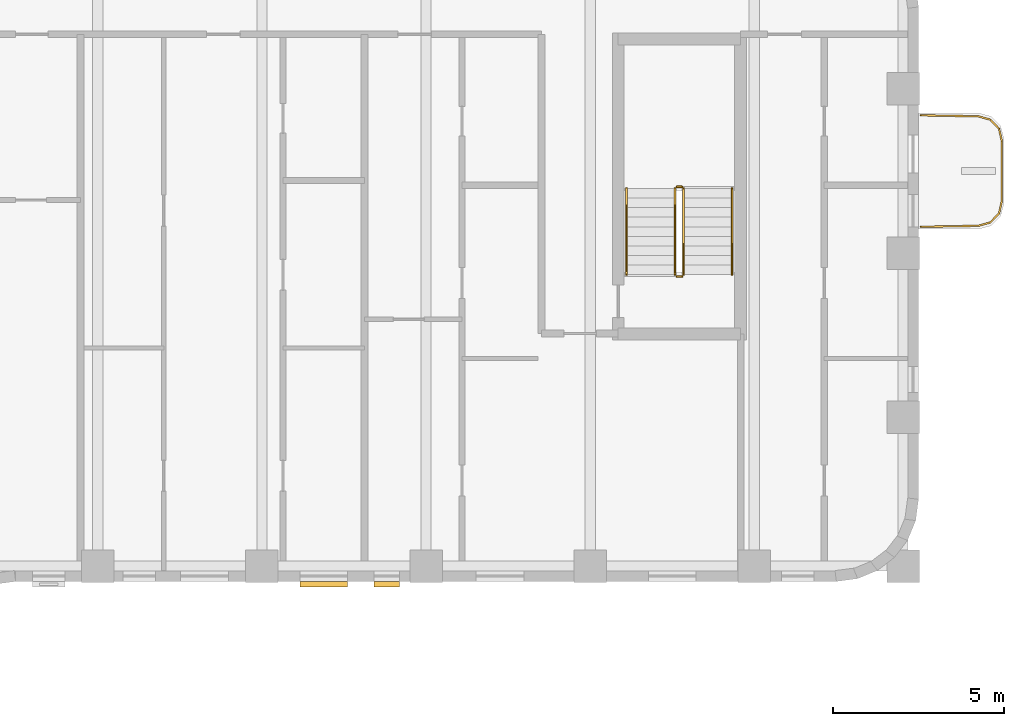
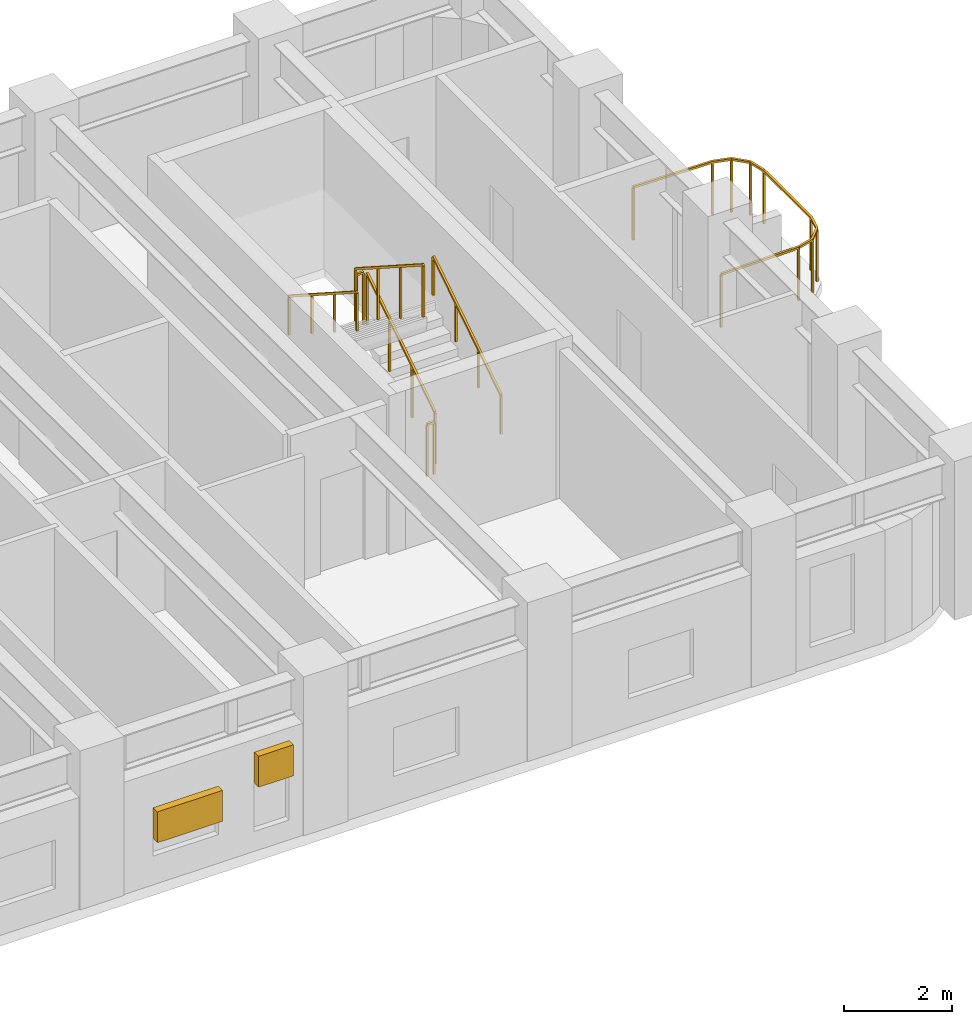
# One storey, part 10 of 11: 7 railings, 2 shading devices.
"""IFC4 building model written with IfcOpenShell, lengths in metres."""

import ifcopenshell
import ifcopenshell.guid

model = None  # the IFC model being written
_history = None  # IfcOwnerHistory: only IFC2X3 demands one
_inside = {}  # id of a spatial element -> (the spatial element, [elements in it])
_under = {}  # id of a project, library or spatial element -> (it, [spatial elements below it])
_declared = {}  # id of a project -> (the project, [libraries it declares])
_typed = {}  # id of a type object -> (the type object, [elements of that type])
_made_of = {}  # id of a material, layer set ... -> (it, [elements and type objects made of it])


def new_model(schema):
    """Start an empty IFC model of exactly this schema.

    Asked for "IFC4X3", IfcOpenShell would pick the latest addendum, in which some entities
    have other attributes; the version numbers below select the first issue.
    IFC2X3 requires an IfcOwnerHistory on every rooted entity: one is made here for all.
    """
    global model, _history
    if schema == "IFC4X3":
        model = ifcopenshell.file(schema_version=(4, 3, 0, 0))
    else:
        model = ifcopenshell.file(schema=schema)
    _inside.clear()
    _under.clear()
    _declared.clear()
    _typed.clear()
    _made_of.clear()
    _history = None
    if model.schema == "IFC2X3":
        org = make("IfcOrganization", Name="unknown")
        user = make(
            "IfcPersonAndOrganization",
            ThePerson=make("IfcPerson", FamilyName="unknown"),
            TheOrganization=org,
        )
        app = make(
            "IfcApplication",
            ApplicationDeveloper=org,
            Version="unknown",
            ApplicationFullName="unknown",
            ApplicationIdentifier="unknown",
        )
        _history = make(
            "IfcOwnerHistory",
            OwningUser=user,
            OwningApplication=app,
            ChangeAction="ADDED",
            CreationDate=0,
        )
    return model


def make(cls, **values):
    """One entity of the class cls with the attributes given. An attribute that is None is left unset."""
    return model.create_entity(
        cls, **{name: value for name, value in values.items() if value is not None}
    )


def rooted(cls, **values):
    """An entity with a GlobalId (a new one), such as an element, a storey or a relation."""
    return make(cls, GlobalId=ifcopenshell.guid.new(), OwnerHistory=_history, **values)


def si_unit(unit_type, name, prefix=None):
    """IfcSIUnit, for example si_unit("LENGTHUNIT", "METRE", prefix="MILLI")."""
    return make("IfcSIUnit", UnitType=unit_type, Prefix=prefix, Name=name)


def assignment(units):
    """IfcUnitAssignment: the units of a project."""
    return None if units is None else make("IfcUnitAssignment", Units=units)


def point(xyz):
    """IfcCartesianPoint."""
    return None if xyz is None else make("IfcCartesianPoint", Coordinates=xyz)


def direction(xyz):
    """IfcDirection."""
    return None if xyz is None else make("IfcDirection", DirectionRatios=xyz)


def frame(location, z_axis=None, x_axis=None):
    """IfcAxis2Placement3D, a coordinate frame: its origin and axes. An axis left out is left unset."""
    return make(
        "IfcAxis2Placement3D",
        Location=point(location),
        Axis=direction(z_axis),
        RefDirection=direction(x_axis),
    )


def frame_2d(location, x_axis=None):
    """IfcAxis2Placement2D, a coordinate frame in the plane: its origin and x axis."""
    return make(
        "IfcAxis2Placement2D", Location=point(location), RefDirection=direction(x_axis)
    )


def origin():
    """The frame at (0, 0, 0) with its axes left unset."""
    return frame((0.0, 0.0, 0.0))


def origin_2d():
    """The frame at (0, 0) in the plane with its x axis left unset."""
    return frame_2d((0.0, 0.0))


def place(relative_to, where):
    """IfcLocalPlacement: puts the frame where relative to a parent placement (None: the world)."""
    return make(
        "IfcLocalPlacement", PlacementRelTo=relative_to, RelativePlacement=where
    )


def context(
    kind, dimensions, precision=None, world=None, true_north=None, identifier=None
):
    """IfcGeometricRepresentationContext, for example the 3D "Model" context."""
    return make(
        "IfcGeometricRepresentationContext",
        ContextIdentifier=identifier,
        ContextType=kind,
        CoordinateSpaceDimension=dimensions,
        Precision=precision,
        WorldCoordinateSystem=world,
        TrueNorth=true_north,
    )


def subcontext(parent, identifier, kind, view, scale=None):
    """IfcGeometricRepresentationSubContext, for example "Body" below "Model"."""
    return make(
        "IfcGeometricRepresentationSubContext",
        ContextIdentifier=identifier,
        ContextType=kind,
        ParentContext=parent,
        TargetScale=scale,
        TargetView=view,
    )


def project(units=None, contexts=None):
    """IfcProject with its units and contexts."""
    return rooted(
        "IfcProject",
        Name="project",
        RepresentationContexts=contexts,
        UnitsInContext=assignment(units),
    )


def spatial(cls, under=None, at=None, **own):
    """A site, building, storey or space (cls), placed at a placement, below another one or the project."""
    s = rooted(cls, ObjectPlacement=at, **own)
    if under is not None:
        _under.setdefault(under.id(), (under, []))[1].append(s)
    return s


def profile(cls, at=None, kind="AREA", **sizes):
    """A parametric profile (cls). Its sizes go by their IFC names, for example OverallWidth=200.0."""
    return make(cls, ProfileType=kind, Position=at, **sizes)


def rectangle(**sizes):
    """IfcRectangleProfileDef."""
    return profile("IfcRectangleProfileDef", **sizes)


def extrude(swept, where, along, depth):
    """IfcExtrudedAreaSolid: the profile swept, set in the frame where, extruded along a direction by depth."""
    return make(
        "IfcExtrudedAreaSolid",
        SweptArea=swept,
        Position=where,
        ExtrudedDirection=direction(along),
        Depth=depth,
    )


def shape(context_of_items, identifier, shape_type, items):
    """IfcShapeRepresentation: the items that make up one representation, for example the "Body"."""
    return make(
        "IfcShapeRepresentation",
        ContextOfItems=context_of_items,
        RepresentationIdentifier=identifier,
        RepresentationType=shape_type,
        Items=items,
    )


def material(Name=None, Category=None):
    """IfcMaterial."""
    return make("IfcMaterial", Name=Name, Category=Category)


def made_of(thing, what):
    """Note that an element or type object is made of a material, layer set ...; save() writes the relation."""
    if what is not None:
        _made_of.setdefault(what.id(), (what, []))[1].append(thing)
    return thing


def type_object(cls, material=None, **own):
    """A type object (cls), such as IfcWallType, which elements share."""
    return made_of(rooted(cls, **own), material)


def element(
    cls,
    number,
    at=None,
    inside=None,
    cuts=None,
    type_object=None,
    material=None,
    context=None,
    identifier="Body",
    shape_type=None,
    held_by="IfcProductDefinitionShape",
    body=None,
    shapes=None,
    **own,
):
    """One element of the class cls, such as IfcWall. Its Tag is "e" and its number.

    at: its placement. inside: the storey or other place that contains it. cuts: it is an
    opening in that element (IfcRelVoidsElement). A single representation is given by context,
    identifier, shape_type and body (its items); several are given by shapes. held_by: the class
    of the entity that holds the representations. save() writes the other relations.
    """
    e = rooted(cls, Tag="e%d" % number, ObjectPlacement=at, **own)
    if body is not None:
        shapes = [shape(context, identifier, shape_type, body)]
    if shapes is not None:
        e.Representation = make(held_by, Representations=shapes)
    if inside is not None:
        _inside.setdefault(inside.id(), (inside, []))[1].append(e)
    if cuts is not None:
        rooted(
            "IfcRelVoidsElement", RelatingBuildingElement=cuts, RelatedOpeningElement=e
        )
    if type_object is not None:
        _typed.setdefault(type_object.id(), (type_object, []))[1].append(e)
    return made_of(e, material)


def aggregate(whole, parts):
    """IfcRelAggregates: a whole, such as a stair, and the parts it consists of."""
    return rooted("IfcRelAggregates", RelatingObject=whole, RelatedObjects=parts)


def save(model, path):
    """Write the relations noted so far, then the file.

    IfcRelAggregates (storeys below a building ...), IfcRelContainedInSpatialStructure (elements
    in a storey), IfcRelDefinesByType, IfcRelAssociatesMaterial and IfcRelDeclares: one each for
    every whole, place, type object, material and project.
    """
    for whole, parts in _under.values():
        aggregate(whole, parts)
    for where, things in _inside.values():
        rooted(
            "IfcRelContainedInSpatialStructure",
            RelatedElements=things,
            RelatingStructure=where,
        )
    for kind, things in _typed.values():
        rooted("IfcRelDefinesByType", RelatedObjects=things, RelatingType=kind)
    for what, things in _made_of.values():
        rooted("IfcRelAssociatesMaterial", RelatedObjects=things, RelatingMaterial=what)
    for by, libraries in _declared.values():
        rooted("IfcRelDeclares", RelatingContext=by, RelatedDefinitions=libraries)
    model.write(path)


model = new_model("IFC4")

# Units and contexts
model_context = context("Model", 3, precision=1e-05, world=origin(), true_north=direction((0.0, 1.0)))
body_context = subcontext(model_context, "Body", "Model", "MODEL_VIEW")
ifc_project = project(units=[si_unit("LENGTHUNIT", "METRE"), si_unit("AREAUNIT", "SQUARE_METRE"), si_unit("VOLUMEUNIT", "CUBIC_METRE"), si_unit("PLANEANGLEUNIT", "RADIAN"), si_unit("MASSUNIT", "GRAM", prefix="KILO")], contexts=[model_context])

# Site, building, storey
site_placement = place(None, origin())
site = spatial("IfcSite", under=ifc_project, at=site_placement, CompositionType="ELEMENT")
building_placement = place(site_placement, origin())
building = spatial("IfcBuilding", under=site, at=building_placement, Name="Orvandelia Arch Residences", CompositionType="ELEMENT")
storey_placement = place(building_placement, frame((0.0, 0.0, 146.800048828125)))
storey = spatial("IfcBuildingStorey", under=building, at=storey_placement, Name="L38", CompositionType="ELEMENT", Elevation=146.800048828125)

# Railings
ifc_material_1 = material(Name="Marine-Grade Stainless Steel 316", Category="steel")
railing_type_1 = type_object("IfcRailingType", Name="GRD-BAL-1200", PredefinedType="BALUSTRADE", material=ifc_material_1)
railing_1_placement = place(storey_placement, frame((52.871826171875, 39.169677734375, 0.0)))
element("IfcRailing", 1, at=railing_1_placement, inside=storey, type_object=railing_type_1, Name="Safety Balustrade Guard GRD-L38-BAL-L38-E1-1", PredefinedType="BALUSTRADE", context=body_context, shape_type="SweptSolid", body=[
    extrude(rectangle(XDim=0.048095703125, YDim=0.048095703125, at=origin_2d()), frame((0.0, 0.0, 1.19580078125), z_axis=(0.999837384468, 0.018033430643, 0.0), x_axis=(-0.018033430643, 0.999837384468, 0.0)), (0.0, 0.0, 1.0), 1.6787109375),
    extrude(rectangle(XDim=0.048095703125, YDim=0.048095703125, at=origin_2d()), frame((1.678466796875, 0.0302734375, 1.19580078125), z_axis=(0.96348920644, 0.267747173792, 0.0), x_axis=(-0.267747173792, 0.96348920644, 0.0)), (0.0, 0.0, 1.0), 0.36572265625),
    extrude(rectangle(XDim=0.048095703125, YDim=0.048095703125, at=origin_2d()), frame((2.03076171875, 0.128173828125, 1.19580078125), z_axis=(0.687947031175, 0.725760898848, 0.0), x_axis=(-0.725760898848, 0.687947031175, 0.0)), (0.0, 0.0, 1.0), 0.367919921875),
    extrude(rectangle(XDim=0.048095703125, YDim=0.048095703125, at=origin_2d()), frame((2.283935546875, 0.395263671875, 1.19580078125), z_axis=(0.221225034864, 0.975222786828, 0.0), x_axis=(-0.975222786828, 0.221225034864, 0.0)), (0.0, 0.0, 1.0), 0.373046875),
    extrude(rectangle(XDim=0.048095703125, YDim=0.048095703125, at=origin_2d()), frame((2.366455078125, 0.759033203125, 1.19580078125), z_axis=(0.0, 1.0, 0.0), x_axis=(-1.0, 0.0, 0.0)), (0.0, 0.0, 1.0), 1.74267578125),
    extrude(rectangle(XDim=0.048095703125, YDim=0.048095703125, at=origin_2d()), frame((2.366455078125, 2.501708984375, 1.19580078125), z_axis=(-0.221225034864, 0.975222786828, 0.0), x_axis=(-0.975222786828, -0.221225034864, 0.0)), (0.0, 0.0, 1.0), 0.373046875),
    extrude(rectangle(XDim=0.048095703125, YDim=0.048095703125, at=origin_2d()), frame((2.283935546875, 2.865478515625, 1.19580078125), z_axis=(-0.688278345278, 0.725446703364, 0.0), x_axis=(-0.725446703364, -0.688278345278, 0.0)), (0.0, 0.0, 1.0), 0.367919921875),
    extrude(rectangle(XDim=0.048095703125, YDim=0.048095703125, at=origin_2d()), frame((2.03076171875, 3.13232421875, 1.19580078125), z_axis=(-0.96348920644, 0.267747173792, 0.0), x_axis=(-0.267747173792, -0.96348920644, 0.0)), (0.0, 0.0, 1.0), 0.36572265625),
    extrude(rectangle(XDim=0.048095703125, YDim=0.048095703125, at=origin_2d()), frame((1.678466796875, 3.230224609375, 1.19580078125), z_axis=(-0.999834751713, 0.018178813668, 0.0), x_axis=(-0.018178813668, -0.999834751713, 0.0)), (0.0, 0.0, 1.0), 1.6787109375),
    extrude(rectangle(XDim=0.0419921875, YDim=0.0419921875, at=origin_2d()), origin(), (0.0, 0.0, 1.0), 1.171875),
    extrude(rectangle(XDim=0.0419921875, YDim=0.0419921875, at=origin_2d()), frame((1.678466796875, 0.0302734375, 0.0)), (0.0, 0.0, 1.0), 1.171875),
    extrude(rectangle(XDim=0.0419921875, YDim=0.0419921875, at=origin_2d()), frame((2.03076171875, 0.128173828125, 0.0)), (0.0, 0.0, 1.0), 1.171875),
    extrude(rectangle(XDim=0.0419921875, YDim=0.0419921875, at=origin_2d()), frame((2.283935546875, 0.395263671875, 0.0)), (0.0, 0.0, 1.0), 1.171875),
    extrude(rectangle(XDim=0.0419921875, YDim=0.0419921875, at=origin_2d()), frame((2.366455078125, 0.759033203125, 0.0)), (0.0, 0.0, 1.0), 1.171875),
    extrude(rectangle(XDim=0.0419921875, YDim=0.0419921875, at=origin_2d()), frame((2.366455078125, 2.501708984375, 0.0)), (0.0, 0.0, 1.0), 1.171875),
    extrude(rectangle(XDim=0.0419921875, YDim=0.0419921875, at=origin_2d()), frame((2.283935546875, 2.865478515625, 0.0)), (0.0, 0.0, 1.0), 1.171875),
    extrude(rectangle(XDim=0.0419921875, YDim=0.0419921875, at=origin_2d()), frame((2.03076171875, 3.13232421875, 0.0)), (0.0, 0.0, 1.0), 1.171875),
    extrude(rectangle(XDim=0.0419921875, YDim=0.0419921875, at=origin_2d()), frame((1.678466796875, 3.230224609375, 0.0)), (0.0, 0.0, 1.0), 1.171875),
    extrude(rectangle(XDim=0.0419921875, YDim=0.0419921875, at=origin_2d()), frame((0.0, 3.2607421875, 0.0)), (0.0, 0.0, 1.0), 1.171875),
])
ifc_material_2 = material(Name="Brushed Stainless Steel 304", Category="steel")
railing_type_2 = type_object("IfcRailingType", Name="RL-STAIR-GD1120", PredefinedType="GUARDRAIL", material=ifc_material_2)
railing_2_placement = place(storey_placement, frame((45.929931640625, 37.77001953125, 0.179931640625)))
element("IfcRailing", 2, at=railing_2_placement, inside=storey, type_object=railing_type_2, Name="L38 ST-3 stair guard 1", PredefinedType="GUARDRAIL", context=body_context, shape_type="SweptSolid", body=[
    extrude(rectangle(XDim=0.048095703125, YDim=0.048095703125, at=origin_2d()), frame((0.0, 0.0, 1.17578125), z_axis=(0.0, 0.841162588446, 0.540782303519), x_axis=(-1.0, 0.0, 0.0)), (0.0, 0.0, 1.0), 2.995849609375),
    extrude(rectangle(XDim=0.0419921875, YDim=0.0419921875, at=origin_2d()), origin(), (0.0, 0.0, 1.0), 1.15185546875),
    extrude(rectangle(XDim=0.0419921875, YDim=0.0419921875, at=origin_2d()), frame((0.0, 0.840087890625, 0.5400390625)), (0.0, 0.0, 1.0), 1.15185546875),
    extrude(rectangle(XDim=0.0419921875, YDim=0.0419921875, at=origin_2d()), frame((0.0, 1.679931640625, 1.080078125)), (0.0, 0.0, 1.0), 1.15185546875),
    extrude(rectangle(XDim=0.0419921875, YDim=0.0419921875, at=origin_2d()), frame((0.0, 2.52001953125, 1.6201171875)), (0.0, 0.0, 1.0), 1.15185546875),
])
railing_3_placement = place(storey_placement, frame((45.8798828125, 40.340087890625, 1.800048828125)))
element("IfcRailing", 3, at=railing_3_placement, inside=storey, type_object=railing_type_2, Name="L38 ST-3 stair guard 2", PredefinedType="GUARDRAIL", context=body_context, shape_type="SweptSolid", body=[
    extrude(rectangle(XDim=0.048095703125, YDim=0.048095703125, at=origin_2d()), frame((0.0, 0.0, 1.17578125), z_axis=(-1.0, 0.0, 0.0), x_axis=(0.0, -1.0, 0.0)), (0.0, 0.0, 1.0), 0.14990234375),
    extrude(rectangle(XDim=0.0419921875, YDim=0.0419921875, at=origin_2d()), origin(), (0.0, 0.0, 1.0), 1.15185546875),
    extrude(rectangle(XDim=0.0419921875, YDim=0.0419921875, at=origin_2d()), frame((-0.14990234375, 0.0, 0.0)), (0.0, 0.0, 1.0), 1.15185546875),
])
railing_4_placement = place(storey_placement, frame((45.679931640625, 40.2900390625, 1.97998046875)))
element("IfcRailing", 4, at=railing_4_placement, inside=storey, type_object=railing_type_2, Name="L38 ST-3 stair guard 3", PredefinedType="GUARDRAIL", context=body_context, shape_type="SweptSolid", body=[
    extrude(rectangle(XDim=0.048095703125, YDim=0.048095703125, at=origin_2d()), frame((0.0, 0.0, 1.17578125), z_axis=(0.0, -0.841199657755, 0.540724639528), x_axis=(1.0, 0.0, 0.0)), (0.0, 0.0, 1.0), 2.995849609375),
    extrude(rectangle(XDim=0.0419921875, YDim=0.0419921875, at=origin_2d()), origin(), (0.0, 0.0, 1.0), 1.15185546875),
    extrude(rectangle(XDim=0.0419921875, YDim=0.0419921875, at=origin_2d()), frame((0.0, -0.840087890625, 0.5400390625)), (0.0, 0.0, 1.0), 1.15185546875),
    extrude(rectangle(XDim=0.0419921875, YDim=0.0419921875, at=origin_2d()), frame((0.0, -1.679931640625, 1.079833984375)), (0.0, 0.0, 1.0), 1.15185546875),
    extrude(rectangle(XDim=0.0419921875, YDim=0.0419921875, at=origin_2d()), frame((0.0, -2.52001953125, 1.619873046875)), (0.0, 0.0, 1.0), 1.15185546875),
])
railing_5_placement = place(storey_placement, frame((45.8798828125, 37.719970703125, 0.0)))
element("IfcRailing", 5, at=railing_5_placement, inside=storey, type_object=railing_type_2, Name="L38 ST-3 stair guard 4", PredefinedType="GUARDRAIL", context=body_context, shape_type="SweptSolid", body=[
    extrude(rectangle(XDim=0.048095703125, YDim=0.048095703125, at=origin_2d()), frame((0.0, 0.0, 1.17578125), z_axis=(-1.0, 0.0, 0.0), x_axis=(0.0, -1.0, 0.0)), (0.0, 0.0, 1.0), 0.14990234375),
    extrude(rectangle(XDim=0.0419921875, YDim=0.0419921875, at=origin_2d()), origin(), (0.0, 0.0, 1.0), 1.15185546875),
    extrude(rectangle(XDim=0.0419921875, YDim=0.0419921875, at=origin_2d()), frame((-0.14990234375, 0.0, 0.0)), (0.0, 0.0, 1.0), 1.15185546875),
])
railing_type_3 = type_object("IfcRailingType", Name="RL-STAIR-HR920", PredefinedType="HANDRAIL", material=ifc_material_2)
railing_6_placement = place(storey_placement, frame((47.35009765625, 37.77001953125, 0.35986328125)))
element("IfcRailing", 6, at=railing_6_placement, inside=storey, type_object=railing_type_3, Name="L38 ST-3 stair handrail 1", PredefinedType="HANDRAIL", context=body_context, shape_type="SweptSolid", body=[
    extrude(rectangle(XDim=0.048095703125, YDim=0.048095703125, at=origin_2d()), frame((0.0, 0.0, 0.8759765625), z_axis=(0.0, 0.841162588446, 0.540782303519), x_axis=(-1.0, 0.0, 0.0)), (0.0, 0.0, 1.0), 2.995849609375),
    extrude(rectangle(XDim=0.0419921875, YDim=0.0419921875, at=origin_2d()), origin(), (0.0, 0.0, 1.0), 0.851806640625),
    extrude(rectangle(XDim=0.0419921875, YDim=0.0419921875, at=origin_2d()), frame((0.0, 0.840087890625, 0.5400390625)), (0.0, 0.0, 1.0), 0.851806640625),
    extrude(rectangle(XDim=0.0419921875, YDim=0.0419921875, at=origin_2d()), frame((0.0, 1.679931640625, 1.080078125)), (0.0, 0.0, 1.0), 0.851806640625),
    extrude(rectangle(XDim=0.0419921875, YDim=0.0419921875, at=origin_2d()), frame((0.0, 2.52001953125, 1.6201171875)), (0.0, 0.0, 1.0), 0.851806640625),
])
railing_7_placement = place(storey_placement, frame((44.260009765625, 40.2900390625, 2.159912109375)))
element("IfcRailing", 7, at=railing_7_placement, inside=storey, type_object=railing_type_3, Name="L38 ST-3 stair handrail 2", PredefinedType="HANDRAIL", context=body_context, shape_type="SweptSolid", body=[
    extrude(rectangle(XDim=0.048095703125, YDim=0.048095703125, at=origin_2d()), frame((0.0, 0.0, 0.8759765625), z_axis=(0.0, -0.841162588446, 0.540782303519), x_axis=(1.0, 0.0, 0.0)), (0.0, 0.0, 1.0), 2.995849609375),
    extrude(rectangle(XDim=0.0419921875, YDim=0.0419921875, at=origin_2d()), origin(), (0.0, 0.0, 1.0), 0.851806640625),
    extrude(rectangle(XDim=0.0419921875, YDim=0.0419921875, at=origin_2d()), frame((0.0, -0.840087890625, 0.5400390625)), (0.0, 0.0, 1.0), 0.851806640625),
    extrude(rectangle(XDim=0.0419921875, YDim=0.0419921875, at=origin_2d()), frame((0.0, -1.679931640625, 1.080078125)), (0.0, 0.0, 1.0), 0.851806640625),
    extrude(rectangle(XDim=0.0419921875, YDim=0.0419921875, at=origin_2d()), frame((0.0, -2.52001953125, 1.6201171875)), (0.0, 0.0, 1.0), 0.851806640625),
])

# Shading devices
ifc_material_3 = material(Name="Anodised Champagne-Bronze Extruded Aluminium", Category="aluminium")
shading_device_type = type_object("IfcShadingDeviceType", Name="SHD-JALOUSIE-SCREEN", PredefinedType="JALOUSIE", material=ifc_material_3)
shading_device_1_placement = place(storey_placement, frame((35.409912109375, 28.719970703125, 1.0498046875), z_axis=(0.0, 0.0, 1.0), x_axis=(-1.0, 0.0, 0.0)))
element("IfcShadingDevice", 8, at=shading_device_1_placement, inside=storey, type_object=shading_device_type, Name="Bronze Jalousie Sun-Shade L38-002", PredefinedType="JALOUSIE", context=body_context, shape_type="SweptSolid", body=[
    extrude(rectangle(XDim=1.39990234375, YDim=0.159912109375, at=origin_2d()), origin(), (0.0, 0.0, 1.0), 0.699951171875),
])
shading_device_2_placement = place(storey_placement, frame((37.25244140625, 28.719970703125, 1.5498046875), z_axis=(0.0, 0.0, 1.0), x_axis=(-1.0, 0.0, 0.0)))
element("IfcShadingDevice", 9, at=shading_device_2_placement, inside=storey, type_object=shading_device_type, Name="Bronze Jalousie Sun-Shade L38-004", PredefinedType="JALOUSIE", context=body_context, shape_type="SweptSolid", body=[
    extrude(rectangle(XDim=0.75, YDim=0.159912109375, at=origin_2d()), origin(), (0.0, 0.0, 1.0), 0.699951171875),
])

save(model, "model.ifc")
